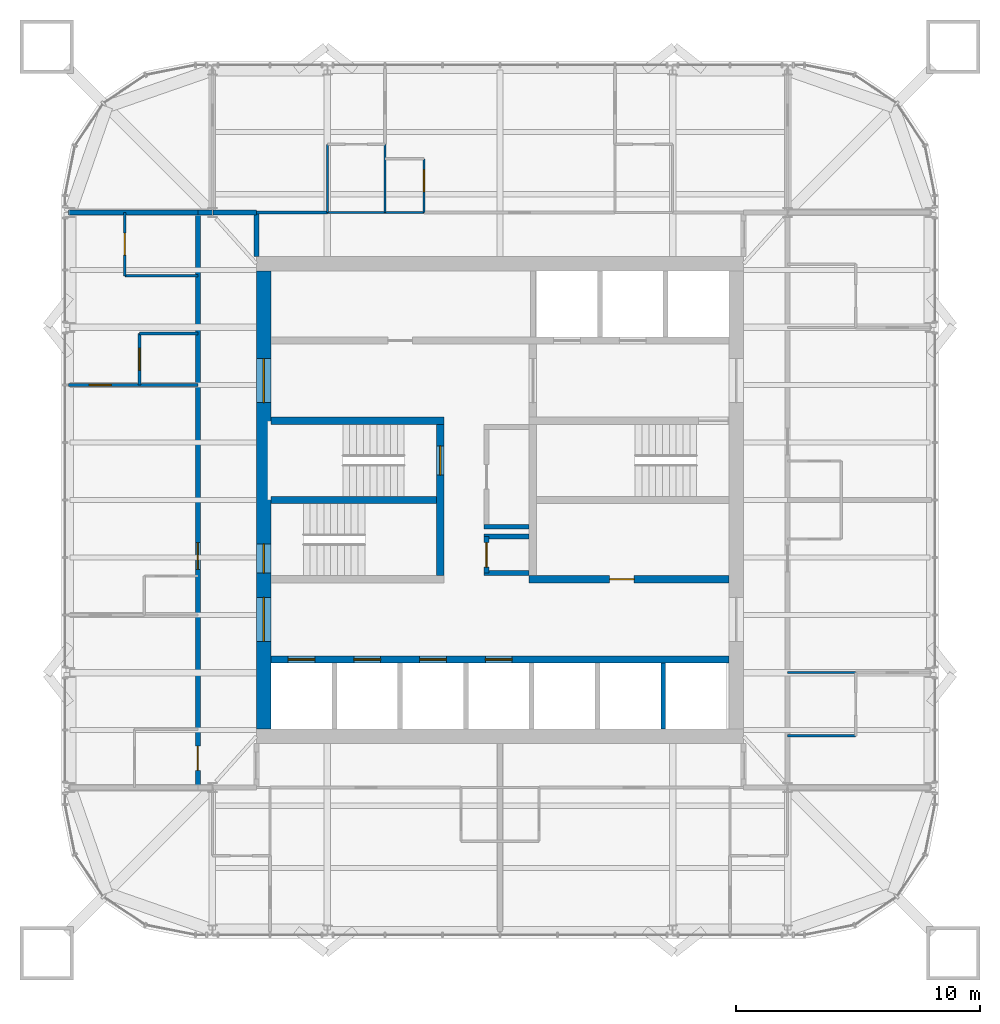
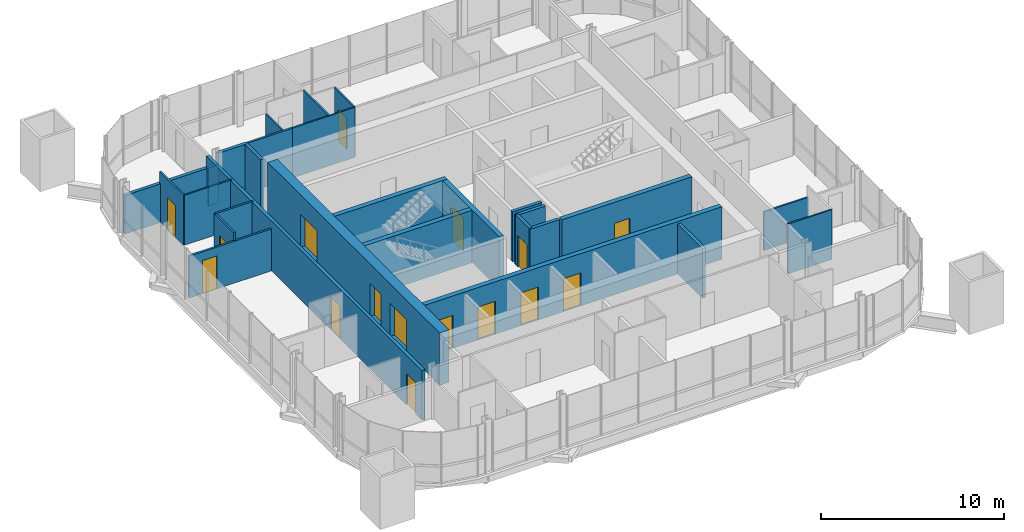
# One storey, part 14 of 17: 28 walls, 16 doors, 16 openings.
"""IFC4 building model written with IfcOpenShell, lengths in metres."""

import ifcopenshell
import ifcopenshell.guid

model = None  # the IFC model being written
_history = None  # IfcOwnerHistory: only IFC2X3 demands one
_inside = {}  # id of a spatial element -> (the spatial element, [elements in it])
_under = {}  # id of a project, library or spatial element -> (it, [spatial elements below it])
_declared = {}  # id of a project -> (the project, [libraries it declares])
_typed = {}  # id of a type object -> (the type object, [elements of that type])
_made_of = {}  # id of a material, layer set ... -> (it, [elements and type objects made of it])


def new_model(schema):
    """Start an empty IFC model of exactly this schema.

    Asked for "IFC4X3", IfcOpenShell would pick the latest addendum, in which some entities
    have other attributes; the version numbers below select the first issue.
    IFC2X3 requires an IfcOwnerHistory on every rooted entity: one is made here for all.
    """
    global model, _history
    if schema == "IFC4X3":
        model = ifcopenshell.file(schema_version=(4, 3, 0, 0))
    else:
        model = ifcopenshell.file(schema=schema)
    _inside.clear()
    _under.clear()
    _declared.clear()
    _typed.clear()
    _made_of.clear()
    _history = None
    if model.schema == "IFC2X3":
        org = make("IfcOrganization", Name="unknown")
        user = make(
            "IfcPersonAndOrganization",
            ThePerson=make("IfcPerson", FamilyName="unknown"),
            TheOrganization=org,
        )
        app = make(
            "IfcApplication",
            ApplicationDeveloper=org,
            Version="unknown",
            ApplicationFullName="unknown",
            ApplicationIdentifier="unknown",
        )
        _history = make(
            "IfcOwnerHistory",
            OwningUser=user,
            OwningApplication=app,
            ChangeAction="ADDED",
            CreationDate=0,
        )
    return model


def make(cls, **values):
    """One entity of the class cls with the attributes given. An attribute that is None is left unset."""
    return model.create_entity(
        cls, **{name: value for name, value in values.items() if value is not None}
    )


def rooted(cls, **values):
    """An entity with a GlobalId (a new one), such as an element, a storey or a relation."""
    return make(cls, GlobalId=ifcopenshell.guid.new(), OwnerHistory=_history, **values)


def si_unit(unit_type, name, prefix=None):
    """IfcSIUnit, for example si_unit("LENGTHUNIT", "METRE", prefix="MILLI")."""
    return make("IfcSIUnit", UnitType=unit_type, Prefix=prefix, Name=name)


def assignment(units):
    """IfcUnitAssignment: the units of a project."""
    return None if units is None else make("IfcUnitAssignment", Units=units)


def point(xyz):
    """IfcCartesianPoint."""
    return None if xyz is None else make("IfcCartesianPoint", Coordinates=xyz)


def direction(xyz):
    """IfcDirection."""
    return None if xyz is None else make("IfcDirection", DirectionRatios=xyz)


def frame(location, z_axis=None, x_axis=None):
    """IfcAxis2Placement3D, a coordinate frame: its origin and axes. An axis left out is left unset."""
    return make(
        "IfcAxis2Placement3D",
        Location=point(location),
        Axis=direction(z_axis),
        RefDirection=direction(x_axis),
    )


def frame_2d(location, x_axis=None):
    """IfcAxis2Placement2D, a coordinate frame in the plane: its origin and x axis."""
    return make(
        "IfcAxis2Placement2D", Location=point(location), RefDirection=direction(x_axis)
    )


def origin():
    """The frame at (0, 0, 0) with its axes left unset."""
    return frame((0.0, 0.0, 0.0))


def place(relative_to, where):
    """IfcLocalPlacement: puts the frame where relative to a parent placement (None: the world)."""
    return make(
        "IfcLocalPlacement", PlacementRelTo=relative_to, RelativePlacement=where
    )


def context(
    kind, dimensions, precision=None, world=None, true_north=None, identifier=None
):
    """IfcGeometricRepresentationContext, for example the 3D "Model" context."""
    return make(
        "IfcGeometricRepresentationContext",
        ContextIdentifier=identifier,
        ContextType=kind,
        CoordinateSpaceDimension=dimensions,
        Precision=precision,
        WorldCoordinateSystem=world,
        TrueNorth=true_north,
    )


def subcontext(parent, identifier, kind, view, scale=None):
    """IfcGeometricRepresentationSubContext, for example "Body" below "Model"."""
    return make(
        "IfcGeometricRepresentationSubContext",
        ContextIdentifier=identifier,
        ContextType=kind,
        ParentContext=parent,
        TargetScale=scale,
        TargetView=view,
    )


def project(units=None, contexts=None):
    """IfcProject with its units and contexts."""
    return rooted(
        "IfcProject",
        Name="project",
        RepresentationContexts=contexts,
        UnitsInContext=assignment(units),
    )


def spatial(cls, under=None, at=None, **own):
    """A site, building, storey or space (cls), placed at a placement, below another one or the project."""
    s = rooted(cls, ObjectPlacement=at, **own)
    if under is not None:
        _under.setdefault(under.id(), (under, []))[1].append(s)
    return s


def profile(cls, at=None, kind="AREA", **sizes):
    """A parametric profile (cls). Its sizes go by their IFC names, for example OverallWidth=200.0."""
    return make(cls, ProfileType=kind, Position=at, **sizes)


def rectangle(**sizes):
    """IfcRectangleProfileDef."""
    return profile("IfcRectangleProfileDef", **sizes)


def extrude(swept, where, along, depth):
    """IfcExtrudedAreaSolid: the profile swept, set in the frame where, extruded along a direction by depth."""
    return make(
        "IfcExtrudedAreaSolid",
        SweptArea=swept,
        Position=where,
        ExtrudedDirection=direction(along),
        Depth=depth,
    )


def shape(context_of_items, identifier, shape_type, items):
    """IfcShapeRepresentation: the items that make up one representation, for example the "Body"."""
    return make(
        "IfcShapeRepresentation",
        ContextOfItems=context_of_items,
        RepresentationIdentifier=identifier,
        RepresentationType=shape_type,
        Items=items,
    )


def material(Name=None, Category=None):
    """IfcMaterial."""
    return make("IfcMaterial", Name=Name, Category=Category)


def layer(
    of_material, thickness, ventilated=None, Name=None, Category=None, Priority=None
):
    """IfcMaterialLayer: one layer of a wall or slab, of a material (None: an air gap)."""
    return make(
        "IfcMaterialLayer",
        Material=of_material,
        LayerThickness=thickness,
        IsVentilated=ventilated,
        Name=Name,
        Category=Category,
        Priority=Priority,
    )


def layer_set(layers, Name=None):
    """IfcMaterialLayerSet."""
    return make("IfcMaterialLayerSet", MaterialLayers=layers, LayerSetName=Name)


def made_of(thing, what):
    """Note that an element or type object is made of a material, layer set ...; save() writes the relation."""
    if what is not None:
        _made_of.setdefault(what.id(), (what, []))[1].append(thing)
    return thing


def type_object(cls, material=None, **own):
    """A type object (cls), such as IfcWallType, which elements share."""
    return made_of(rooted(cls, **own), material)


def element(
    cls,
    number,
    at=None,
    inside=None,
    cuts=None,
    type_object=None,
    material=None,
    context=None,
    identifier="Body",
    shape_type=None,
    held_by="IfcProductDefinitionShape",
    body=None,
    shapes=None,
    **own,
):
    """One element of the class cls, such as IfcWall. Its Tag is "e" and its number.

    at: its placement. inside: the storey or other place that contains it. cuts: it is an
    opening in that element (IfcRelVoidsElement). A single representation is given by context,
    identifier, shape_type and body (its items); several are given by shapes. held_by: the class
    of the entity that holds the representations. save() writes the other relations.
    """
    e = rooted(cls, Tag="e%d" % number, ObjectPlacement=at, **own)
    if body is not None:
        shapes = [shape(context, identifier, shape_type, body)]
    if shapes is not None:
        e.Representation = make(held_by, Representations=shapes)
    if inside is not None:
        _inside.setdefault(inside.id(), (inside, []))[1].append(e)
    if cuts is not None:
        rooted(
            "IfcRelVoidsElement", RelatingBuildingElement=cuts, RelatedOpeningElement=e
        )
    if type_object is not None:
        _typed.setdefault(type_object.id(), (type_object, []))[1].append(e)
    return made_of(e, material)


def fill(opening, filler):
    """IfcRelFillsElement: the door or window that sits in an opening."""
    return rooted(
        "IfcRelFillsElement",
        RelatingOpeningElement=opening,
        RelatedBuildingElement=filler,
    )


def aggregate(whole, parts):
    """IfcRelAggregates: a whole, such as a stair, and the parts it consists of."""
    return rooted("IfcRelAggregates", RelatingObject=whole, RelatedObjects=parts)


def save(model, path):
    """Write the relations noted so far, then the file.

    IfcRelAggregates (storeys below a building ...), IfcRelContainedInSpatialStructure (elements
    in a storey), IfcRelDefinesByType, IfcRelAssociatesMaterial and IfcRelDeclares: one each for
    every whole, place, type object, material and project.
    """
    for whole, parts in _under.values():
        aggregate(whole, parts)
    for where, things in _inside.values():
        rooted(
            "IfcRelContainedInSpatialStructure",
            RelatedElements=things,
            RelatingStructure=where,
        )
    for kind, things in _typed.values():
        rooted("IfcRelDefinesByType", RelatedObjects=things, RelatingType=kind)
    for what, things in _made_of.values():
        rooted("IfcRelAssociatesMaterial", RelatedObjects=things, RelatingMaterial=what)
    for by, libraries in _declared.values():
        rooted("IfcRelDeclares", RelatingContext=by, RelatedDefinitions=libraries)
    model.write(path)


model = new_model("IFC4")

# Units and contexts
model_context = context("Model", 3, precision=1e-05, world=origin(), true_north=direction((0.0, 1.0)))
body_context = subcontext(model_context, "Body", "Model", "MODEL_VIEW")
ifc_project = project(units=[si_unit("LENGTHUNIT", "METRE"), si_unit("AREAUNIT", "SQUARE_METRE"), si_unit("VOLUMEUNIT", "CUBIC_METRE"), si_unit("PLANEANGLEUNIT", "RADIAN"), si_unit("MASSUNIT", "GRAM", prefix="KILO")], contexts=[model_context])

# Site, building, storey
site_placement = place(None, origin())
site = spatial("IfcSite", under=ifc_project, at=site_placement, CompositionType="ELEMENT")
building_placement = place(site_placement, origin())
building = spatial("IfcBuilding", under=site, at=building_placement, Name="Turquesa Mirador Hotel Tower", CompositionType="ELEMENT")
storey_placement = place(building_placement, frame((0.0, 0.0, 240.699951171875)))
storey = spatial("IfcBuildingStorey", under=building, at=storey_placement, Name="L65", CompositionType="ELEMENT", Elevation=240.699951171875)

# Walls
ifc_material_1 = material(Name="Gypsum board on steel studs", Category="steel")
ifc_layer_1 = layer(ifc_material_1, 0.10009765625)
ifc_layer_set_1 = layer_set([ifc_layer_1], Name="BATHROOM WALL 100")
wall_type_1 = type_object("IfcWallType", Name="BATHROOM WALL 100", PredefinedType="PARTITIONING", material=ifc_layer_set_1)
wall_1_placement = place(storey_placement, frame((66.800048828125, 37.919921875, 0.0), z_axis=(0.0, 0.0, 1.0), x_axis=(1.0, 0.0, 0.0)))
element("IfcWall", 1, at=wall_1_placement, inside=storey, type_object=wall_type_1, Name="Partition L65 017", PredefinedType="PARTITIONING", context=body_context, shape_type="SweptSolid", body=[
    extrude(rectangle(XDim=2.800048828125, YDim=0.10009765625, at=frame_2d((1.39990234375, 0.0))), origin(), (0.0, 0.0, 1.0), 2.5732421875),
])
wall_2_placement = place(storey_placement, frame((66.800048828125, 35.320068359375, 0.0), z_axis=(0.0, 0.0, 1.0), x_axis=(1.0, 0.0, 0.0)))
element("IfcWall", 2, at=wall_2_placement, inside=storey, type_object=wall_type_1, Name="Partition L65 020", PredefinedType="PARTITIONING", context=body_context, shape_type="SweptSolid", body=[
    extrude(rectangle(XDim=2.800048828125, YDim=0.10009765625, at=frame_2d((1.39990234375, 0.0))), origin(), (0.0, 0.0, 1.0), 3.330078125),
])
wall_3_placement = place(storey_placement, frame((47.919921875, 56.800048828125, 0.0), z_axis=(0.0, 0.0, 1.0), x_axis=(1.0, 0.0, 0.0)))
element("IfcWall", 3, at=wall_3_placement, inside=storey, type_object=wall_type_1, Name="Partition L65 023", PredefinedType="PARTITIONING", context=body_context, shape_type="SweptSolid", body=[
    extrude(rectangle(XDim=3.9599609375, YDim=0.10009765625, at=frame_2d((1.97998046875, 0.0))), origin(), (0.0, 0.0, 1.0), 3.330078125),
])
wall_4_placement = place(storey_placement, frame((39.60009765625, 54.199951171875, 0.0), z_axis=(0.0, 0.0, 1.0), x_axis=(1.0, 0.0, 0.0)))
element("IfcWall", 4, at=wall_4_placement, inside=storey, type_object=wall_type_1, Name="Partition L65 039", PredefinedType="PARTITIONING", context=body_context, shape_type="SweptSolid", body=[
    extrude(rectangle(XDim=3.0, YDim=0.10009765625, at=frame_2d((1.5, 0.0))), origin(), (0.0, 0.0, 1.0), 3.330078125),
])

# Wall, opening, door
wall_5_placement = place(storey_placement, frame((39.60009765625, 54.199951171875, 0.0), z_axis=(0.0, 0.0, 1.0), x_axis=(0.0, 1.0, 0.0)))
wall_5 = element("IfcWall", 5, at=wall_5_placement, inside=storey, type_object=wall_type_1, Name="Partition L65 050", PredefinedType="PARTITIONING", context=body_context, shape_type="SweptSolid", body=[
    extrude(rectangle(XDim=2.60009765625, YDim=0.10009765625, at=frame_2d((1.300048828125, 0.0))), origin(), (0.0, 0.0, 1.0), 3.330078125),
])
opening_1_placement = place(wall_5_placement, frame((0.85009765625, 0.0, 0.0)))
opening_1 = element("IfcOpeningElement", 6, at=opening_1_placement, cuts=wall_5, Name="Opening D02", PredefinedType="OPENING", context=body_context, shape_type="SweptSolid", body=[
    extrude(rectangle(XDim=0.89990234375, YDim=2.10009765625, at=frame_2d((0.449951171875, 1.050048828125))), frame((0.0, 0.06005859375, 0.0), z_axis=(0.0, -1.0, 0.0), x_axis=(1.0, 0.0, 0.0)), (0.0, 0.0, 1.0), 0.1201171875),
])
ifc_material_2 = material(Name="Timber veneered door", Category="wood")
door_type_1 = type_object("IfcDoorType", Name="DOOR 900X2100 EN-SUITE", OperationType="SINGLE_SWING_RIGHT", PredefinedType="DOOR", material=ifc_material_2)
door_1_placement = place(opening_1_placement, origin())
door_1 = element("IfcDoor", 7, at=door_1_placement, inside=storey, type_object=door_type_1, Name="Door 6506B", OperationType="SINGLE_SWING_RIGHT", OverallHeight=2.10009765625, OverallWidth=0.89990234375, PredefinedType="DOOR", context=body_context, shape_type="SweptSolid", body=[
    extrude(rectangle(XDim=0.89990234375, YDim=2.10009765625, at=frame_2d((0.449951171875, 1.050048828125))), frame((0.0, 0.02490234375, 0.0), z_axis=(0.0, -1.0, 0.0), x_axis=(1.0, 0.0, 0.0)), (0.0, 0.0, 1.0), 0.050048828125),
])
fill(opening_1, door_1)

wall_6_placement = place(storey_placement, frame((51.8798828125, 56.800048828125, 0.0), z_axis=(0.0, 0.0, 1.0), x_axis=(0.0, 1.0, 0.0)))
wall_6 = element("IfcWall", 8, at=wall_6_placement, inside=storey, type_object=wall_type_1, Name="Partition L65 051", PredefinedType="PARTITIONING", context=body_context, shape_type="SweptSolid", body=[
    extrude(rectangle(XDim=2.199951171875, YDim=0.10009765625, at=frame_2d((1.10009765625, 0.0))), origin(), (0.0, 0.0, 1.0), 3.330078125),
])
opening_2_placement = place(wall_6_placement, frame((0.85009765625, 0.0, 0.0)))
opening_2 = element("IfcOpeningElement", 9, at=opening_2_placement, cuts=wall_6, Name="Opening D06", PredefinedType="OPENING", context=body_context, shape_type="SweptSolid", body=[
    extrude(rectangle(XDim=0.89990234375, YDim=2.10009765625, at=frame_2d((0.449951171875, 1.050048828125))), frame((0.0, 0.06005859375, 0.0), z_axis=(0.0, -1.0, 0.0), x_axis=(1.0, 0.0, 0.0)), (0.0, 0.0, 1.0), 0.1201171875),
])
ifc_material_3 = material(Name="Laminate door", Category="wood")
door_type_2 = type_object("IfcDoorType", Name="DOOR 900X2100 WC", OperationType="SINGLE_SWING_LEFT", PredefinedType="DOOR", material=ifc_material_3)
door_2_placement = place(opening_2_placement, origin())
door_2 = element("IfcDoor", 10, at=door_2_placement, inside=storey, type_object=door_type_2, Name="Door 6501W", OperationType="SINGLE_SWING_LEFT", OverallHeight=2.10009765625, OverallWidth=0.89990234375, PredefinedType="DOOR", context=body_context, shape_type="SweptSolid", body=[
    extrude(rectangle(XDim=0.89990234375, YDim=2.10009765625, at=frame_2d((0.449951171875, 1.050048828125))), frame((0.0, 0.02490234375, 0.0), z_axis=(0.0, -1.0, 0.0), x_axis=(1.0, 0.0, 0.0)), (0.0, 0.0, 1.0), 0.050048828125),
])
fill(opening_2, door_2)

# Walls
wall_7_placement = place(storey_placement, frame((50.280029296875, 56.800048828125, 0.0), z_axis=(0.0, 0.0, 1.0), x_axis=(0.0, 1.0, 0.0)))
element("IfcWall", 11, at=wall_7_placement, inside=storey, type_object=wall_type_1, Name="Partition L65 052", PredefinedType="PARTITIONING", context=body_context, shape_type="SweptSolid", body=[
    extrude(rectangle(XDim=2.800048828125, YDim=0.10009765625, at=frame_2d((1.39990234375, 0.0))), origin(), (0.0, 0.0, 1.0), 3.330078125),
])
wall_8_placement = place(storey_placement, frame((47.919921875, 56.800048828125, 0.0), z_axis=(0.0, 0.0, 1.0), x_axis=(0.0, 1.0, 0.0)))
element("IfcWall", 12, at=wall_8_placement, inside=storey, type_object=wall_type_1, Name="Partition L65 054", PredefinedType="PARTITIONING", context=body_context, shape_type="SweptSolid", body=[
    extrude(rectangle(XDim=2.800048828125, YDim=0.10009765625, at=frame_2d((1.39990234375, 0.0))), origin(), (0.0, 0.0, 1.0), 2.5732421875),
])

# Wall, openings, doors
ifc_material_4 = material(Name="Concrete C50/60", Category="concrete")
ifc_layer_2 = layer(ifc_material_4, 0.300048828125)
ifc_layer_set_2 = layer_set([ifc_layer_2], Name="CORE INNER WALL 300")
wall_type_2 = type_object("IfcWallType", Name="CORE INNER WALL 300", PredefinedType="SHEAR", material=ifc_layer_set_2)
wall_9_placement = place(storey_placement, frame((45.60009765625, 38.449951171875, 0.0), z_axis=(0.0, 0.0, 1.0), x_axis=(1.0, 0.0, 0.0)))
wall_9 = element("IfcWall", 13, at=wall_9_placement, inside=storey, type_object=wall_type_2, Name="Core wall SL", PredefinedType="SHEAR", context=body_context, shape_type="SweptSolid", body=[
    extrude(rectangle(XDim=18.7998046875, YDim=0.300048828125, at=frame_2d((9.39990234375, 0.0))), origin(), (0.0, 0.0, 1.0), 3.5),
])
opening_3_placement = place(wall_9_placement, frame((0.699951171875, 0.0, 0.0)))
opening_3 = element("IfcOpeningElement", 14, at=opening_3_placement, cuts=wall_9, Name="Opening LD", PredefinedType="OPENING", context=body_context, shape_type="SweptSolid", body=[
    extrude(rectangle(XDim=1.10009765625, YDim=2.199951171875, at=frame_2d((0.550048828125, 1.10009765625))), frame((0.0, 0.159912109375, 0.0), z_axis=(0.0, -1.0, 0.0), x_axis=(1.0, 0.0, 0.0)), (0.0, 0.0, 1.0), 0.320068359375),
])
opening_4_placement = place(wall_9_placement, frame((3.39990234375, 0.0, 0.0)))
opening_4 = element("IfcOpeningElement", 15, at=opening_4_placement, cuts=wall_9, Name="Opening LD", PredefinedType="OPENING", context=body_context, shape_type="SweptSolid", body=[
    extrude(rectangle(XDim=1.10009765625, YDim=2.199951171875, at=frame_2d((0.550048828125, 1.10009765625))), frame((0.0, 0.159912109375, 0.0), z_axis=(0.0, -1.0, 0.0), x_axis=(1.0, 0.0, 0.0)), (0.0, 0.0, 1.0), 0.320068359375),
])
opening_5_placement = place(wall_9_placement, frame((6.10009765625, 0.0, 0.0)))
opening_5 = element("IfcOpeningElement", 16, at=opening_5_placement, cuts=wall_9, Name="Opening LD", PredefinedType="OPENING", context=body_context, shape_type="SweptSolid", body=[
    extrude(rectangle(XDim=1.10009765625, YDim=2.199951171875, at=frame_2d((0.550048828125, 1.10009765625))), frame((0.0, 0.159912109375, 0.0), z_axis=(0.0, -1.0, 0.0), x_axis=(1.0, 0.0, 0.0)), (0.0, 0.0, 1.0), 0.320068359375),
])
opening_6_placement = place(wall_9_placement, frame((8.800048828125, 0.0, 0.0)))
opening_6 = element("IfcOpeningElement", 17, at=opening_6_placement, cuts=wall_9, Name="Opening LD", PredefinedType="OPENING", context=body_context, shape_type="SweptSolid", body=[
    extrude(rectangle(XDim=1.10009765625, YDim=2.199951171875, at=frame_2d((0.550048828125, 1.10009765625))), frame((0.0, 0.159912109375, 0.0), z_axis=(0.0, -1.0, 0.0), x_axis=(1.0, 0.0, 0.0)), (0.0, 0.0, 1.0), 0.320068359375),
])
ifc_material_5 = material(Name="Stainless steel lift landing door", Category="steel")
door_type_3 = type_object("IfcDoorType", Name="LIFT LANDING DOOR 1100X2200", OperationType="SLIDING_TO_LEFT", PredefinedType="DOOR", material=ifc_material_5)
door_3_placement = place(opening_3_placement, origin())
door_3 = element("IfcDoor", 18, at=door_3_placement, inside=storey, type_object=door_type_3, Name="Lift B1 landing door", OperationType="SLIDING_TO_LEFT", OverallHeight=2.199951171875, OverallWidth=1.10009765625, PredefinedType="DOOR", context=body_context, shape_type="SweptSolid", body=[
    extrude(rectangle(XDim=1.10009765625, YDim=2.199951171875, at=frame_2d((0.550048828125, 1.10009765625))), frame((0.0, 0.02490234375, 0.0), z_axis=(0.0, -1.0, 0.0), x_axis=(1.0, 0.0, 0.0)), (0.0, 0.0, 1.0), 0.050048828125),
])
fill(opening_3, door_3)
door_4_placement = place(opening_4_placement, origin())
door_4 = element("IfcDoor", 19, at=door_4_placement, inside=storey, type_object=door_type_3, Name="Lift B2 landing door", OperationType="SLIDING_TO_LEFT", OverallHeight=2.199951171875, OverallWidth=1.10009765625, PredefinedType="DOOR", context=body_context, shape_type="SweptSolid", body=[
    extrude(rectangle(XDim=1.10009765625, YDim=2.199951171875, at=frame_2d((0.550048828125, 1.10009765625))), frame((0.0, 0.02490234375, 0.0), z_axis=(0.0, -1.0, 0.0), x_axis=(1.0, 0.0, 0.0)), (0.0, 0.0, 1.0), 0.050048828125),
])
fill(opening_4, door_4)
door_5_placement = place(opening_5_placement, origin())
door_5 = element("IfcDoor", 20, at=door_5_placement, inside=storey, type_object=door_type_3, Name="Lift B3 landing door", OperationType="SLIDING_TO_LEFT", OverallHeight=2.199951171875, OverallWidth=1.10009765625, PredefinedType="DOOR", context=body_context, shape_type="SweptSolid", body=[
    extrude(rectangle(XDim=1.10009765625, YDim=2.199951171875, at=frame_2d((0.550048828125, 1.10009765625))), frame((0.0, 0.02490234375, 0.0), z_axis=(0.0, -1.0, 0.0), x_axis=(1.0, 0.0, 0.0)), (0.0, 0.0, 1.0), 0.050048828125),
])
fill(opening_5, door_5)
door_6_placement = place(opening_6_placement, origin())
door_6 = element("IfcDoor", 21, at=door_6_placement, inside=storey, type_object=door_type_3, Name="Lift B4 landing door", OperationType="SLIDING_TO_LEFT", OverallHeight=2.199951171875, OverallWidth=1.10009765625, PredefinedType="DOOR", context=body_context, shape_type="SweptSolid", body=[
    extrude(rectangle(XDim=1.10009765625, YDim=2.199951171875, at=frame_2d((0.550048828125, 1.10009765625))), frame((0.0, 0.02490234375, 0.0), z_axis=(0.0, -1.0, 0.0), x_axis=(1.0, 0.0, 0.0)), (0.0, 0.0, 1.0), 0.050048828125),
])
fill(opening_6, door_6)

# Wall
wall_10_placement = place(storey_placement, frame((45.60009765625, 48.25, 0.0), z_axis=(0.0, 0.0, 1.0), x_axis=(1.0, 0.0, 0.0)))
element("IfcWall", 22, at=wall_10_placement, inside=storey, type_object=wall_type_2, Name="Core wall MN-W", PredefinedType="SHEAR", context=body_context, shape_type="SweptSolid", body=[
    extrude(rectangle(XDim=7.099853515625, YDim=0.300048828125, at=frame_2d((3.5498046875, 0.0))), origin(), (0.0, 0.0, 1.0), 3.5),
])

# Wall, opening, door
wall_11_placement = place(storey_placement, frame((56.199951171875, 41.75, 0.0), z_axis=(0.0, 0.0, 1.0), x_axis=(1.0, 0.0, 0.0)))
wall_11 = element("IfcWall", 23, at=wall_11_placement, inside=storey, type_object=wall_type_2, Name="Core wall MS-E", PredefinedType="SHEAR", context=body_context, shape_type="SweptSolid", body=[
    extrude(rectangle(XDim=8.199951171875, YDim=0.300048828125, at=frame_2d((4.10009765625, 0.0))), origin(), (0.0, 0.0, 1.0), 3.5),
])
opening_7_placement = place(wall_11_placement, frame((3.300048828125, 0.0, 0.0)))
opening_7 = element("IfcOpeningElement", 24, at=opening_7_placement, cuts=wall_11, Name="Opening D05", PredefinedType="OPENING", context=body_context, shape_type="SweptSolid", body=[
    extrude(rectangle(XDim=1.0, YDim=2.10009765625, at=frame_2d((0.5, 1.050048828125))), frame((0.0, 0.159912109375, 0.0), z_axis=(0.0, -1.0, 0.0), x_axis=(1.0, 0.0, 0.0)), (0.0, 0.0, 1.0), 0.320068359375),
])
ifc_material_6 = material(Name="Steel fire door", Category="steel")
door_type_4 = type_object("IfcDoorType", Name="DOOR 1000X2100 SERVICE", OperationType="SINGLE_SWING_LEFT", PredefinedType="DOOR", material=ifc_material_6)
door_7_placement = place(opening_7_placement, origin())
door_7 = element("IfcDoor", 25, at=door_7_placement, inside=storey, type_object=door_type_4, Name="Housekeeping room door", OperationType="SINGLE_SWING_LEFT", OverallHeight=2.10009765625, OverallWidth=1.0, PredefinedType="DOOR", context=body_context, shape_type="SweptSolid", body=[
    extrude(rectangle(XDim=1.0, YDim=2.10009765625, at=frame_2d((0.5, 1.050048828125))), frame((0.0, 0.02490234375, 0.0), z_axis=(0.0, -1.0, 0.0), x_axis=(1.0, 0.0, 0.0)), (0.0, 0.0, 1.0), 0.050048828125),
])
fill(opening_7, door_7)

wall_12_placement = place(storey_placement, frame((52.550048828125, 41.89990234375, 0.0), z_axis=(0.0, 0.0, 1.0), x_axis=(0.0, 1.0, 0.0)))
wall_12 = element("IfcWall", 26, at=wall_12_placement, inside=storey, type_object=wall_type_2, Name="Core wall PW", PredefinedType="SHEAR", context=body_context, shape_type="SweptSolid", body=[
    extrude(rectangle(XDim=6.2001953125, YDim=0.300048828125, at=frame_2d((3.10009765625, 0.0))), origin(), (0.0, 0.0, 1.0), 3.5),
])
opening_8_placement = place(wall_12_placement, frame((4.125, 0.0, 0.0)))
opening_8 = element("IfcOpeningElement", 27, at=opening_8_placement, cuts=wall_12, Name="Opening D03", PredefinedType="OPENING", context=body_context, shape_type="SweptSolid", body=[
    extrude(rectangle(XDim=1.199951171875, YDim=2.199951171875, at=frame_2d((0.60009765625, 1.10009765625))), frame((0.0, 0.159912109375, 0.0), z_axis=(0.0, -1.0, 0.0), x_axis=(1.0, 0.0, 0.0)), (0.0, 0.0, 1.0), 0.320068359375),
])
ifc_material_7 = material(Name="Steel fire door", Category="steel")
door_type_5 = type_object("IfcDoorType", Name="DOOR 1200X2200 STAIR", OperationType="SINGLE_SWING_LEFT", PredefinedType="DOOR", material=ifc_material_7)
door_8_placement = place(opening_8_placement, origin())
door_8 = element("IfcDoor", 28, at=door_8_placement, inside=storey, type_object=door_type_5, Name="Stair ST1 door", OperationType="SINGLE_SWING_LEFT", OverallHeight=2.199951171875, OverallWidth=1.199951171875, PredefinedType="DOOR", context=body_context, shape_type="SweptSolid", body=[
    extrude(rectangle(XDim=1.199951171875, YDim=2.199951171875, at=frame_2d((0.60009765625, 1.10009765625))), frame((0.0, 0.02490234375, 0.0), z_axis=(0.0, -1.0, 0.0), x_axis=(1.0, 0.0, 0.0)), (0.0, 0.0, 1.0), 0.050048828125),
])
fill(opening_8, door_8)

# Wall
wall_13_placement = place(storey_placement, frame((45.60009765625, 45.0, 0.0), z_axis=(0.0, 0.0, 1.0), x_axis=(1.0, 0.0, 0.0)))
element("IfcWall", 29, at=wall_13_placement, inside=storey, type_object=wall_type_2, Name="Core wall M0-W", PredefinedType="SHEAR", context=body_context, shape_type="SweptSolid", body=[
    extrude(rectangle(XDim=6.7998046875, YDim=0.300048828125, at=frame_2d((3.39990234375, 0.0))), origin(), (0.0, 0.0, 1.0), 3.5),
])

# Wall, openings, doors
ifc_material_8 = material(Name="Concrete C50/60", Category="concrete")
ifc_layer_3 = layer(ifc_material_8, 0.60009765625)
ifc_layer_set_3 = layer_set([ifc_layer_3], Name="CORE WALL 600")
wall_type_3 = type_object("IfcWallType", Name="CORE WALL 600", PredefinedType="SHEAR", material=ifc_layer_set_3)
wall_14_placement = place(storey_placement, frame((45.300048828125, 35.60009765625, 0.0), z_axis=(0.0, 0.0, 1.0), x_axis=(0.0, 1.0, 0.0)))
wall_14 = element("IfcWall", 30, at=wall_14_placement, inside=storey, type_object=wall_type_3, Name="Core wall W", PredefinedType="SHEAR", context=body_context, shape_type="SweptSolid", body=[
    extrude(rectangle(XDim=18.7998046875, YDim=0.60009765625, at=frame_2d((9.39990234375, 0.0))), origin(), (0.0, 0.0, 1.0), 3.5),
])
opening_9_placement = place(wall_14_placement, frame((13.39990234375, 0.0, 0.0)))
opening_9 = element("IfcOpeningElement", 31, at=opening_9_placement, cuts=wall_14, Name="Opening D04", PredefinedType="OPENING", context=body_context, shape_type="SweptSolid", body=[
    extrude(rectangle(XDim=1.800048828125, YDim=2.199951171875, at=frame_2d((0.89990234375, 1.10009765625))), frame((0.0, 0.31005859375, 0.0), z_axis=(0.0, -1.0, 0.0), x_axis=(1.0, 0.0, 0.0)), (0.0, 0.0, 1.0), 0.6201171875),
])
opening_10_placement = place(wall_14_placement, frame((3.60009765625, 0.0, 0.0)))
opening_10 = element("IfcOpeningElement", 32, at=opening_10_placement, cuts=wall_14, Name="Opening D04", PredefinedType="OPENING", context=body_context, shape_type="SweptSolid", body=[
    extrude(rectangle(XDim=1.800048828125, YDim=2.199951171875, at=frame_2d((0.89990234375, 1.10009765625))), frame((0.0, 0.31005859375, 0.0), z_axis=(0.0, -1.0, 0.0), x_axis=(1.0, 0.0, 0.0)), (0.0, 0.0, 1.0), 0.6201171875),
])
opening_11_placement = place(wall_14_placement, frame((6.39990234375, 0.0, 0.0)))
opening_11 = element("IfcOpeningElement", 33, at=opening_11_placement, cuts=wall_14, Name="Opening D03", PredefinedType="OPENING", context=body_context, shape_type="SweptSolid", body=[
    extrude(rectangle(XDim=1.199951171875, YDim=2.199951171875, at=frame_2d((0.60009765625, 1.10009765625))), frame((0.0, 0.31005859375, 0.0), z_axis=(0.0, -1.0, 0.0), x_axis=(1.0, 0.0, 0.0)), (0.0, 0.0, 1.0), 0.6201171875),
])
door_9_placement = place(opening_11_placement, origin())
door_9 = element("IfcDoor", 34, at=door_9_placement, inside=storey, type_object=door_type_5, Name="Stair ST2 door", OperationType="SINGLE_SWING_LEFT", OverallHeight=2.199951171875, OverallWidth=1.199951171875, PredefinedType="DOOR", context=body_context, shape_type="SweptSolid", body=[
    extrude(rectangle(XDim=1.199951171875, YDim=2.199951171875, at=frame_2d((0.60009765625, 1.10009765625))), frame((0.0, 0.02490234375, 0.0), z_axis=(0.0, -1.0, 0.0), x_axis=(1.0, 0.0, 0.0)), (0.0, 0.0, 1.0), 0.050048828125),
])
fill(opening_11, door_9)
ifc_material_9 = material(Name="Steel fire door pair", Category="steel")
door_type_6 = type_object("IfcDoorType", Name="DOOR 1800X2200 PAIR", OperationType="DOUBLE_DOOR_SINGLE_SWING", PredefinedType="DOOR", material=ifc_material_9)
door_10_placement = place(opening_9_placement, origin())
door_10 = element("IfcDoor", 35, at=door_10_placement, inside=storey, type_object=door_type_6, Name="North lift lobby door", OperationType="DOUBLE_DOOR_SINGLE_SWING", OverallHeight=2.199951171875, OverallWidth=1.800048828125, PredefinedType="DOOR", context=body_context, shape_type="SweptSolid", body=[
    extrude(rectangle(XDim=1.800048828125, YDim=2.199951171875, at=frame_2d((0.89990234375, 1.10009765625))), frame((0.0, 0.02490234375, 0.0), z_axis=(0.0, -1.0, 0.0), x_axis=(1.0, 0.0, 0.0)), (0.0, 0.0, 1.0), 0.050048828125),
])
fill(opening_9, door_10)
door_11_placement = place(opening_10_placement, origin())
door_11 = element("IfcDoor", 36, at=door_11_placement, inside=storey, type_object=door_type_6, Name="South lift lobby door", OperationType="DOUBLE_DOOR_SINGLE_SWING", OverallHeight=2.199951171875, OverallWidth=1.800048828125, PredefinedType="DOOR", context=body_context, shape_type="SweptSolid", body=[
    extrude(rectangle(XDim=1.800048828125, YDim=2.199951171875, at=frame_2d((0.89990234375, 1.10009765625))), frame((0.0, 0.02490234375, 0.0), z_axis=(0.0, -1.0, 0.0), x_axis=(1.0, 0.0, 0.0)), (0.0, 0.0, 1.0), 0.050048828125),
])
fill(opening_10, door_11)

# Walls
ifc_material_10 = material(Name="Fire-rated gypsum board on steel studs", Category="steel")
ifc_layer_4 = layer(ifc_material_10, 0.199951171875)
ifc_layer_set_4 = layer_set([ifc_layer_4], Name="CORRIDOR WALL 200")
wall_type_4 = type_object("IfcWallType", Name="CORRIDOR WALL 200", PredefinedType="PARTITIONING", material=ifc_layer_set_4)
wall_15_placement = place(storey_placement, frame((43.219970703125, 56.800048828125, 0.0), z_axis=(0.0, 0.0, 1.0), x_axis=(1.0, 0.0, 0.0)))
element("IfcWall", 37, at=wall_15_placement, inside=storey, type_object=wall_type_4, Name="Partition L65 025", PredefinedType="PARTITIONING", context=body_context, shape_type="SweptSolid", body=[
    extrude(rectangle(XDim=1.780029296875, YDim=0.199951171875, at=frame_2d((0.89013671875, 0.0))), origin(), (0.0, 0.0, 1.0), 3.330078125),
])
wall_16_placement = place(storey_placement, frame((45.0, 55.0, 0.0), z_axis=(0.0, 0.0, 1.0), x_axis=(0.0, 1.0, 0.0)))
element("IfcWall", 38, at=wall_16_placement, inside=storey, type_object=wall_type_4, Name="Partition L65 043", PredefinedType="PARTITIONING", context=body_context, shape_type="SweptSolid", body=[
    extrude(rectangle(XDim=1.800048828125, YDim=0.199951171875, at=frame_2d((0.89990234375, 0.0))), origin(), (0.0, 0.0, 1.0), 3.330078125),
])

# Wall, openings, doors
wall_17_placement = place(storey_placement, frame((42.60009765625, 33.199951171875, 0.0), z_axis=(0.0, 0.0, 1.0), x_axis=(0.0, 1.0, 0.0)))
wall_17 = element("IfcWall", 39, at=wall_17_placement, inside=storey, type_object=wall_type_4, Name="Partition L65 046", PredefinedType="PARTITIONING", context=body_context, shape_type="SweptSolid", body=[
    extrude(rectangle(XDim=23.60009765625, YDim=0.199951171875, at=frame_2d((11.800048828125, 0.0))), origin(), (0.0, 0.0, 1.0), 3.330078125),
])
opening_12_placement = place(wall_17_placement, frame((8.949951171875, 0.0, 0.0)))
opening_12 = element("IfcOpeningElement", 40, at=opening_12_placement, cuts=wall_17, Name="Opening D15", PredefinedType="OPENING", context=body_context, shape_type="SweptSolid", body=[
    extrude(rectangle(XDim=1.10009765625, YDim=2.199951171875, at=frame_2d((0.550048828125, 1.10009765625))), frame((0.0, 0.10986328125, 0.0), z_axis=(0.0, -1.0, 0.0), x_axis=(1.0, 0.0, 0.0)), (0.0, 0.0, 1.0), 0.219970703125),
])
opening_13_placement = place(wall_17_placement, frame((0.699951171875, 0.0, 0.0)))
opening_13 = element("IfcOpeningElement", 41, at=opening_13_placement, cuts=wall_17, Name="Opening D05", PredefinedType="OPENING", context=body_context, shape_type="SweptSolid", body=[
    extrude(rectangle(XDim=1.0, YDim=2.10009765625, at=frame_2d((0.5, 1.050048828125))), frame((0.0, 0.10986328125, 0.0), z_axis=(0.0, -1.0, 0.0), x_axis=(1.0, 0.0, 0.0)), (0.0, 0.0, 1.0), 0.219970703125),
])
door_12_placement = place(opening_13_placement, origin())
door_12 = element("IfcDoor", 42, at=door_12_placement, inside=storey, type_object=door_type_4, Name="Door 6506P-1", OperationType="SINGLE_SWING_LEFT", OverallHeight=2.10009765625, OverallWidth=1.0, PredefinedType="DOOR", context=body_context, shape_type="SweptSolid", body=[
    extrude(rectangle(XDim=1.0, YDim=2.10009765625, at=frame_2d((0.5, 1.050048828125))), frame((0.0, 0.02490234375, 0.0), z_axis=(0.0, -1.0, 0.0), x_axis=(1.0, 0.0, 0.0)), (0.0, 0.0, 1.0), 0.050048828125),
])
fill(opening_13, door_12)
ifc_material_11 = material(Name="Timber veneered fire door", Category="wood")
door_type_7 = type_object("IfcDoorType", Name="DOOR 1100X2200 SUITE ENTRY", OperationType="SINGLE_SWING_LEFT", PredefinedType="DOOR", material=ifc_material_11)
door_13_placement = place(opening_12_placement, origin())
door_13 = element("IfcDoor", 43, at=door_13_placement, inside=storey, type_object=door_type_7, Name="Door 6506", OperationType="SINGLE_SWING_LEFT", OverallHeight=2.199951171875, OverallWidth=1.10009765625, PredefinedType="DOOR", context=body_context, shape_type="SweptSolid", body=[
    extrude(rectangle(XDim=1.10009765625, YDim=2.199951171875, at=frame_2d((0.550048828125, 1.10009765625))), frame((0.0, 0.02490234375, 0.0), z_axis=(0.0, -1.0, 0.0), x_axis=(1.0, 0.0, 0.0)), (0.0, 0.0, 1.0), 0.050048828125),
])
fill(opening_12, door_13)

# Wall
wall_18_placement = place(storey_placement, frame((42.60009765625, 56.800048828125, 0.0), z_axis=(0.0, 0.0, 1.0), x_axis=(1.0, 0.0, 0.0)))
element("IfcWall", 44, at=wall_18_placement, inside=storey, type_object=wall_type_4, Name="Partition L65 073", PredefinedType="PARTITIONING", context=body_context, shape_type="SweptSolid", body=[
    extrude(rectangle(XDim=0.619873046875, YDim=0.199951171875, at=frame_2d((0.31005859375, 0.0))), origin(), (0.0, 0.0, 1.0), 2.5732421875),
])

# Wall, opening, door
ifc_material_12 = material(Name="Fire-rated gypsum board on steel studs", Category="steel")
ifc_layer_5 = layer(ifc_material_12, 0.199951171875)
ifc_layer_set_5 = layer_set([ifc_layer_5], Name="FIRE PARTITION 200")
wall_type_5 = type_object("IfcWallType", Name="FIRE PARTITION 200", PredefinedType="PARTITIONING", material=ifc_layer_set_5)
wall_19_placement = place(storey_placement, frame((54.449951171875, 42.0, 0.0), z_axis=(0.0, 0.0, 1.0), x_axis=(0.0, 1.0, 0.0)))
wall_19 = element("IfcWall", 45, at=wall_19_placement, inside=storey, type_object=wall_type_5, Name="Partition L65 SW W", PredefinedType="PARTITIONING", context=body_context, shape_type="SweptSolid", body=[
    extrude(rectangle(XDim=1.5, YDim=0.199951171875, at=frame_2d((0.75, 0.0))), origin(), (0.0, 0.0, 1.0), 3.330078125),
])
opening_14_placement = place(wall_19_placement, frame((0.25, 0.0, 0.0)))
opening_14 = element("IfcOpeningElement", 46, at=opening_14_placement, cuts=wall_19, Name="Opening D05", PredefinedType="OPENING", context=body_context, shape_type="SweptSolid", body=[
    extrude(rectangle(XDim=1.0, YDim=2.10009765625, at=frame_2d((0.5, 1.050048828125))), frame((0.0, 0.10986328125, 0.0), z_axis=(0.0, -1.0, 0.0), x_axis=(1.0, 0.0, 0.0)), (0.0, 0.0, 1.0), 0.219970703125),
])
door_14_placement = place(opening_14_placement, origin())
door_14 = element("IfcDoor", 47, at=door_14_placement, inside=storey, type_object=door_type_4, Name="Staff WC door", OperationType="SINGLE_SWING_LEFT", OverallHeight=2.10009765625, OverallWidth=1.0, PredefinedType="DOOR", context=body_context, shape_type="SweptSolid", body=[
    extrude(rectangle(XDim=1.0, YDim=2.10009765625, at=frame_2d((0.5, 1.050048828125))), frame((0.0, 0.02490234375, 0.0), z_axis=(0.0, -1.0, 0.0), x_axis=(1.0, 0.0, 0.0)), (0.0, 0.0, 1.0), 0.050048828125),
])
fill(opening_14, door_14)

# Walls
for number, where, z_axis, x_axis, name in (
    (48, (54.35009765625, 42.0, 0.0), (0.0, 0.0, 1.0), (1.0, 0.0, 0.0), "Partition L65 SW S"),
    (49, (54.35009765625, 43.5, 0.0), (0.0, 0.0, 1.0), (1.0, 0.0, 0.0), "Partition L65 SW N"),
    (50, (54.35009765625, 43.89990234375, 0.0), (0.0, 0.0, 1.0), (1.0, 0.0, 0.0), "Partition L65 VR S"),
):
    element("IfcWall", number, at=place(storey_placement, frame(where, z_axis=z_axis, x_axis=x_axis)), inside=storey, type_object=wall_type_5, Name=name, PredefinedType="PARTITIONING", context=body_context, shape_type="SweptSolid", body=[
        extrude(rectangle(XDim=1.849853515625, YDim=0.199951171875, at=frame_2d((0.9248046875, 0.0))), origin(), (0.0, 0.0, 1.0), 3.330078125),
    ])
ifc_material_13 = material(Name="Fire-rated gypsum shaft wall on steel studs", Category="steel")
ifc_layer_6 = layer(ifc_material_13, 0.199951171875)
ifc_layer_set_6 = layer_set([ifc_layer_6], Name="LIFT SHAFT DIVIDER 200")
wall_type_6 = type_object("IfcWallType", Name="LIFT SHAFT DIVIDER 200", PredefinedType="PARTITIONING", material=ifc_layer_set_6)
wall_20_placement = place(storey_placement, frame((61.699951171875, 35.60009765625, 0.0), z_axis=(0.0, 0.0, 1.0), x_axis=(0.0, 1.0, 0.0)))
element("IfcWall", 51, at=wall_20_placement, inside=storey, type_object=wall_type_6, Name="Lift shaft divider", PredefinedType="PARTITIONING", context=body_context, shape_type="SweptSolid", body=[
    extrude(rectangle(XDim=2.699951171875, YDim=0.199951171875, at=frame_2d((1.35009765625, 0.0))), origin(), (0.0, 0.0, 1.0), 3.330078125),
])
ifc_material_14 = material(Name="Fire-rated gypsum board on steel studs", Category="steel")
ifc_layer_7 = layer(ifc_material_14, 0.199951171875)
ifc_layer_set_7 = layer_set([ifc_layer_7], Name="PARTY WALL 200")
wall_type_7 = type_object("IfcWallType", Name="PARTY WALL 200", PredefinedType="PARTITIONING", material=ifc_layer_set_7)
wall_21_placement = place(storey_placement, frame((37.300048828125, 56.800048828125, 0.0), z_axis=(0.0, 0.0, 1.0), x_axis=(1.0, 0.0, 0.0)))
element("IfcWall", 52, at=wall_21_placement, inside=storey, type_object=wall_type_7, Name="Partition L65 027", PredefinedType="PARTITIONING", context=body_context, shape_type="SweptSolid", body=[
    extrude(rectangle(XDim=5.300048828125, YDim=0.199951171875, at=frame_2d((2.64990234375, 0.0))), origin(), (0.0, 0.0, 1.0), 2.5732421875),
])
ifc_material_15 = material(Name="Acoustic gypsum board on steel studs", Category="steel")
ifc_layer_8 = layer(ifc_material_15, 0.125)
ifc_layer_set_8 = layer_set([ifc_layer_8], Name="SUITE PARTITION 125")
wall_type_8 = type_object("IfcWallType", Name="SUITE PARTITION 125", PredefinedType="PARTITIONING", material=ifc_layer_set_8)
wall_22_placement = place(storey_placement, frame((45.0, 56.800048828125, 0.0), z_axis=(0.0, 0.0, 1.0), x_axis=(1.0, 0.0, 0.0)))
element("IfcWall", 53, at=wall_22_placement, inside=storey, type_object=wall_type_8, Name="Partition L65 029", PredefinedType="PARTITIONING", context=body_context, shape_type="SweptSolid", body=[
    extrude(rectangle(XDim=2.919921875, YDim=0.125, at=frame_2d((1.4599609375, 0.0))), origin(), (0.0, 0.0, 1.0), 3.330078125),
])

# Wall, opening, door
wall_23_placement = place(storey_placement, frame((37.300048828125, 49.719970703125, 0.0), z_axis=(0.0, 0.0, 1.0), x_axis=(1.0, 0.0, 0.0)))
wall_23 = element("IfcWall", 54, at=wall_23_placement, inside=storey, type_object=wall_type_8, Name="Partition L65 035", PredefinedType="PARTITIONING", context=body_context, shape_type="SweptSolid", body=[
    extrude(rectangle(XDim=5.300048828125, YDim=0.125, at=frame_2d((2.64990234375, 0.0))), origin(), (0.0, 0.0, 1.0), 2.796630859375),
])
opening_15_placement = place(wall_23_placement, frame((0.85009765625, 0.0, 0.0)))
opening_15 = element("IfcOpeningElement", 55, at=opening_15_placement, cuts=wall_23, Name="Opening D17", PredefinedType="OPENING", context=body_context, shape_type="SweptSolid", body=[
    extrude(rectangle(XDim=0.89990234375, YDim=2.199951171875, at=frame_2d((0.449951171875, 1.10009765625))), frame((0.0, 0.072509765625, 0.0), z_axis=(0.0, -1.0, 0.0), x_axis=(1.0, 0.0, 0.0)), (0.0, 0.0, 1.0), 0.14501953125),
])
ifc_material_16 = material(Name="Timber veneered door", Category="wood")
door_type_8 = type_object("IfcDoorType", Name="DOOR 900X2200 SUITE INTERNAL", OperationType="SINGLE_SWING_LEFT", PredefinedType="DOOR", material=ifc_material_16)
door_15_placement = place(opening_15_placement, origin())
door_15 = element("IfcDoor", 56, at=door_15_placement, inside=storey, type_object=door_type_8, Name="Door 6506R", OperationType="SINGLE_SWING_LEFT", OverallHeight=2.199951171875, OverallWidth=0.89990234375, PredefinedType="DOOR", context=body_context, shape_type="SweptSolid", body=[
    extrude(rectangle(XDim=0.89990234375, YDim=2.199951171875, at=frame_2d((0.449951171875, 1.10009765625))), frame((0.0, 0.02490234375, 0.0), z_axis=(0.0, -1.0, 0.0), x_axis=(1.0, 0.0, 0.0)), (0.0, 0.0, 1.0), 0.050048828125),
])
fill(opening_15, door_15)

# Wall
wall_24_placement = place(storey_placement, frame((40.199951171875, 51.840087890625, 0.0), z_axis=(0.0, 0.0, 1.0), x_axis=(1.0, 0.0, 0.0)))
element("IfcWall", 57, at=wall_24_placement, inside=storey, type_object=wall_type_8, Name="Partition L65 036", PredefinedType="PARTITIONING", context=body_context, shape_type="SweptSolid", body=[
    extrude(rectangle(XDim=2.400146484375, YDim=0.125, at=frame_2d((1.2001953125, 0.0))), origin(), (0.0, 0.0, 1.0), 3.330078125),
])

# Wall, opening, door
wall_25_placement = place(storey_placement, frame((40.199951171875, 49.719970703125, 0.0), z_axis=(0.0, 0.0, 1.0), x_axis=(0.0, 1.0, 0.0)))
wall_25 = element("IfcWall", 58, at=wall_25_placement, inside=storey, type_object=wall_type_8, Name="Partition L65 048", PredefinedType="PARTITIONING", context=body_context, shape_type="SweptSolid", body=[
    extrude(rectangle(XDim=2.1201171875, YDim=0.125, at=frame_2d((1.06005859375, 0.0))), origin(), (0.0, 0.0, 1.0), 3.330078125),
])
opening_16_placement = place(wall_25_placement, frame((0.610107421875, 0.0, 0.0)))
opening_16 = element("IfcOpeningElement", 59, at=opening_16_placement, cuts=wall_25, Name="Opening D17", PredefinedType="OPENING", context=body_context, shape_type="SweptSolid", body=[
    extrude(rectangle(XDim=0.89990234375, YDim=2.199951171875, at=frame_2d((0.449951171875, 1.10009765625))), frame((0.0, 0.072509765625, 0.0), z_axis=(0.0, -1.0, 0.0), x_axis=(1.0, 0.0, 0.0)), (0.0, 0.0, 1.0), 0.14501953125),
])
door_16_placement = place(opening_16_placement, origin())
door_16 = element("IfcDoor", 60, at=door_16_placement, inside=storey, type_object=door_type_8, Name="Door 6506D", OperationType="SINGLE_SWING_LEFT", OverallHeight=2.199951171875, OverallWidth=0.89990234375, PredefinedType="DOOR", context=body_context, shape_type="SweptSolid", body=[
    extrude(rectangle(XDim=0.89990234375, YDim=2.199951171875, at=frame_2d((0.449951171875, 1.10009765625))), frame((0.0, 0.02490234375, 0.0), z_axis=(0.0, -1.0, 0.0), x_axis=(1.0, 0.0, 0.0)), (0.0, 0.0, 1.0), 0.050048828125),
])
fill(opening_16, door_16)

save(model, "model.ifc")
